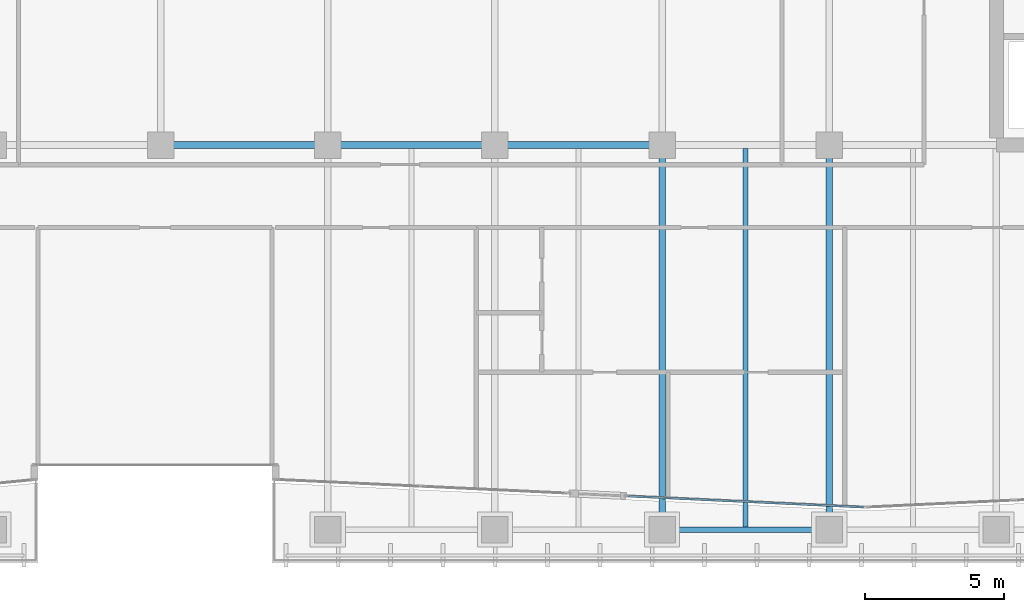
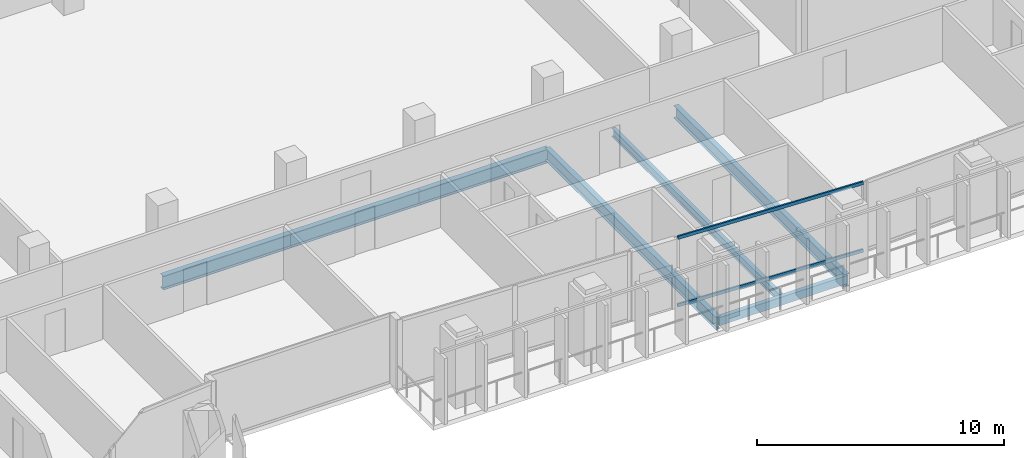
# One storey, part 8 of 39: 7 beams, 2 members, 1 element without a shape of its own.
"""IFC4 building model written with IfcOpenShell, lengths in metres."""

from ifc_helpers import new_model, si_unit, direction, frame, origin, origin_2d, place, context, subcontext, project, spatial, hollow_rectangle, i_section, extrude, material, layer, layer_set, material_profile, profile_set, type_object, element, aggregate, save


model = new_model("IFC4")

# Units and contexts
model_context = context("Model", 3, precision=1e-05, world=origin(), true_north=direction((0.0, 1.0)))
body_context = subcontext(model_context, "Body", "Model", "MODEL_VIEW")
ifc_project = project(units=[si_unit("LENGTHUNIT", "METRE"), si_unit("AREAUNIT", "SQUARE_METRE"), si_unit("VOLUMEUNIT", "CUBIC_METRE"), si_unit("PLANEANGLEUNIT", "RADIAN"), si_unit("MASSUNIT", "GRAM", prefix="KILO")], contexts=[model_context])

# Site, building, storey
site_placement = place(None, origin())
site = spatial("IfcSite", under=ifc_project, at=site_placement, CompositionType="ELEMENT")
building_placement = place(site_placement, origin())
building = spatial("IfcBuilding", under=site, at=building_placement, Name="Tanjung Sevakor Pilgrim Tower", CompositionType="ELEMENT")
storey_placement = place(building_placement, frame((0.0, 0.0, 108.570068359375)))
storey = spatial("IfcBuildingStorey", under=building, at=storey_placement, Name="L30", CompositionType="ELEMENT", Elevation=108.570068359375)

# Beams
ifc_material_1 = material(Name="Steel S355J2", Category="steel")
ifc_material_profile_1 = material_profile(ifc_material_1, i_section(OverallWidth=0.25439453125, OverallDepth=0.6875, WebThickness=0.01318359375, FlangeThickness=0.02099609375, FilletRadius=0.01513671875, at=origin_2d()))
ifc_profile_set_1 = profile_set([ifc_material_profile_1], Name="Steel S355J2")
beam_type_1 = type_object("IfcBeamType", Name="BM-B-G2-UB_686x254x152", PredefinedType="BEAM", material=ifc_profile_set_1)
for number, where, z_axis, x_axis, name in (
    (1, (48.0, 24.60009765625, -0.56396484375), (1.0, 0.0, 0.0), (0.0, 1.0, 0.0), "L30 Primary Floor Girder MAIN Y246-04"),
    (2, (54.0, 24.60009765625, -0.56396484375), (1.0, 0.0, 0.0), (0.0, 1.0, 0.0), "L30 Primary Floor Girder MAIN Y246-05"),
    (3, (60.0, 24.60009765625, -0.56396484375), (1.0, 0.0, 0.0), (0.0, 1.0, 0.0), "L30 Primary Floor Girder MAIN Y246-06"),
):
    element("IfcBeam", number, at=place(storey_placement, frame(where, z_axis=z_axis, x_axis=x_axis)), inside=storey, type_object=beam_type_1, Name=name, PredefinedType="BEAM", context=body_context, shape_type="SweptSolid", body=[
        extrude(i_section(OverallWidth=0.25439453125, OverallDepth=0.6875, WebThickness=0.01318359375, FlangeThickness=0.02099609375, FilletRadius=0.01513671875, at=origin_2d()), origin(), (0.0, 0.0, 1.0), 6.0),
    ])
ifc_material_2 = material(Name="Steel S355J2", Category="steel")
ifc_material_profile_2 = material_profile(ifc_material_2, i_section(OverallWidth=0.230224609375, OverallDepth=0.6171875, WebThickness=0.01318359375, FlangeThickness=0.022216796875, FilletRadius=0.0126953125, at=origin_2d()))
ifc_profile_set_2 = profile_set([ifc_material_profile_2], Name="Steel S355J2")
beam_type_2 = type_object("IfcBeamType", Name="BM-B-G3-UB_610x229x140", PredefinedType="BEAM", material=ifc_profile_set_2)
for number, where, z_axis, x_axis, name in (
    (4, (66.0, 10.800048828125, -0.528564453125), (0.0, 1.0, 0.0), (-1.0, 0.0, 0.0), "L30 MAIN Girder 027"),
    (5, (72.0, 10.800048828125, -0.528564453125), (0.0, 1.0, 0.0), (-1.0, 0.0, 0.0), "L30 MAIN Girder 032"),
):
    element("IfcBeam", number, at=place(storey_placement, frame(where, z_axis=z_axis, x_axis=x_axis)), inside=storey, type_object=beam_type_2, Name=name, PredefinedType="BEAM", context=body_context, shape_type="SweptSolid", body=[
        extrude(i_section(OverallWidth=0.230224609375, OverallDepth=0.6171875, WebThickness=0.01318359375, FlangeThickness=0.022216796875, FilletRadius=0.0126953125, at=origin_2d()), origin(), (0.0, 0.0, 1.0), 13.800048828125),
    ])
ifc_material_3 = material(Name="Steel S355J2", Category="steel")
ifc_material_profile_3 = material_profile(ifc_material_3, i_section(OverallWidth=0.1787109375, OverallDepth=0.409423828125, WebThickness=0.0087890625, FlangeThickness=0.014404296875, FilletRadius=0.01025390625, at=origin_2d()))
ifc_profile_set_3 = profile_set([ifc_material_profile_3], Name="Steel S355J2")
beam_type_3 = type_object("IfcBeamType", Name="BM-B-J3-UB_406x178x67", PredefinedType="JOIST", material=ifc_profile_set_3)
beam_1_placement = place(storey_placement, frame((69.0, 10.89990234375, -0.4248046875), z_axis=(0.0, 1.0, 0.0), x_axis=(-1.0, 0.0, 0.0)))
element("IfcBeam", 6, at=beam_1_placement, inside=storey, type_object=beam_type_3, Name="L30 MAIN Joist 030", PredefinedType="JOIST", context=body_context, shape_type="SweptSolid", body=[
    extrude(i_section(OverallWidth=0.1787109375, OverallDepth=0.409423828125, WebThickness=0.0087890625, FlangeThickness=0.014404296875, FilletRadius=0.01025390625, at=origin_2d()), origin(), (0.0, 0.0, 1.0), 13.57275390625),
])
ifc_material_4 = material(Name="Steel S355J2", Category="steel")
ifc_material_profile_4 = material_profile(ifc_material_4, hollow_rectangle(XDim=0.199951171875, YDim=0.39990234375, WallThickness=0.01611328125, at=origin_2d()))
ifc_profile_set_4 = profile_set([ifc_material_profile_4], Name="Steel S355J2")
beam_type_4 = type_object("IfcBeamType", Name="BM-B-SP2-RHS_400x200x16", PredefinedType="SPANDREL", material=ifc_profile_set_4)
beam_2_placement = place(storey_placement, frame((66.0, 10.800048828125, -0.420166015625), z_axis=(1.0, 0.0, 0.0), x_axis=(0.0, 1.0, 0.0)))
element("IfcBeam", 7, at=beam_2_placement, inside=storey, type_object=beam_type_4, Name="L30 Spandrel MAIN S-11", PredefinedType="SPANDREL", context=body_context, shape_type="SweptSolid", body=[
    extrude(hollow_rectangle(XDim=0.199951171875, YDim=0.39990234375, WallThickness=0.01611328125, at=origin_2d()), origin(), (0.0, 0.0, 1.0), 6.0),
])

# Curtain wall, members
ifc_material_5 = material(Name="Aluminium 6063-T6 and Low-E Glass", Category="aluminium")
ifc_layer = layer(ifc_material_5, 0.199951171875)
ifc_layer_set = layer_set([ifc_layer], Name="CW-SYS-PRAY")
curtain_wall_type = type_object("IfcCurtainWallType", Name="CW-SYS-PRAY", PredefinedType="NOTDEFINED", material=ifc_layer_set)
curtain_wall_placement = place(storey_placement, origin())
curtain_wall = element("IfcCurtainWall", 8, at=curtain_wall_placement, inside=storey, type_object=curtain_wall_type, Name="L30 Curtain Wall CW-PRY-L30-10B", PredefinedType="NOTDEFINED")
ifc_material_6 = material(Name="Aluminium 6063-T6", Category="aluminium")
ifc_material_profile_5 = material_profile(ifc_material_6, hollow_rectangle(XDim=0.074951171875, YDim=0.159912109375, WallThickness=0.00439453125, at=origin_2d()))
ifc_profile_set_5 = profile_set([ifc_material_profile_5], Name="Aluminium 6063-T6")
member_type = type_object("IfcMemberType", Name="TYPE-CWT-2", PredefinedType="USERDEFINED", material=ifc_profile_set_5)
member_1_placement = place(storey_placement, frame((64.78857421875, 12.0048828125, 0.037353515625), z_axis=(0.998898860545, -0.046915524096, 0.0), x_axis=(0.046915524096, 0.998898860545, 0.0)))
member_1 = element("IfcMember", 9, at=member_1_placement, type_object=member_type, Name="CW-PRY transom 1.1", ObjectType="TRANSOM", PredefinedType="USERDEFINED", context=body_context, shape_type="SweptSolid", body=[
    extrude(hollow_rectangle(XDim=0.074951171875, YDim=0.159912109375, WallThickness=0.00439453125, at=origin_2d()), origin(), (0.0, 0.0, 1.0), 8.44580078125),
])
member_2_placement = place(storey_placement, frame((64.78857421875, 12.0048828125, 3.372314453125), z_axis=(0.998898860545, -0.046915524096, 0.0), x_axis=(0.046915524096, 0.998898860545, 0.0)))
member_2 = element("IfcMember", 10, at=member_2_placement, type_object=member_type, Name="CW-PRY transom 1.2", ObjectType="TRANSOM", PredefinedType="USERDEFINED", context=body_context, shape_type="SweptSolid", body=[
    extrude(hollow_rectangle(XDim=0.074951171875, YDim=0.159912109375, WallThickness=0.00439453125, at=origin_2d()), origin(), (0.0, 0.0, 1.0), 8.44580078125),
])
aggregate(curtain_wall, [member_1, member_2])

save(model, "model.ifc")
